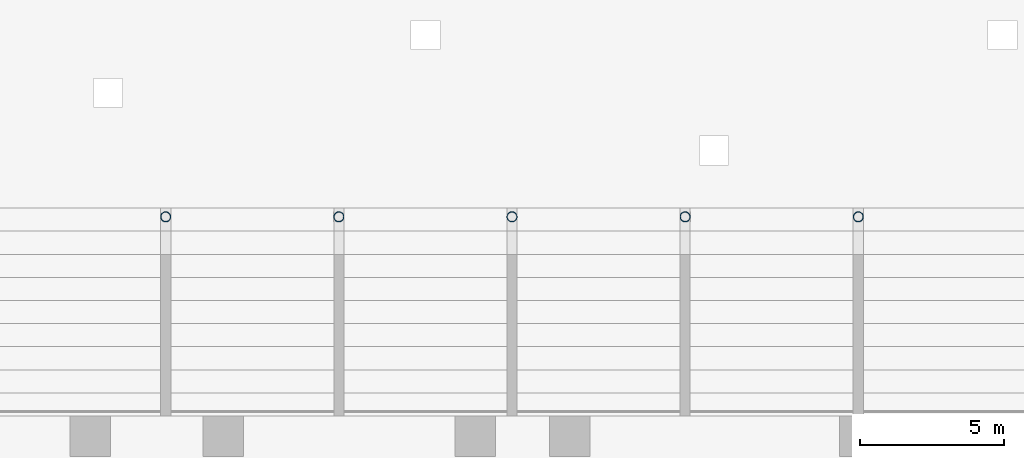
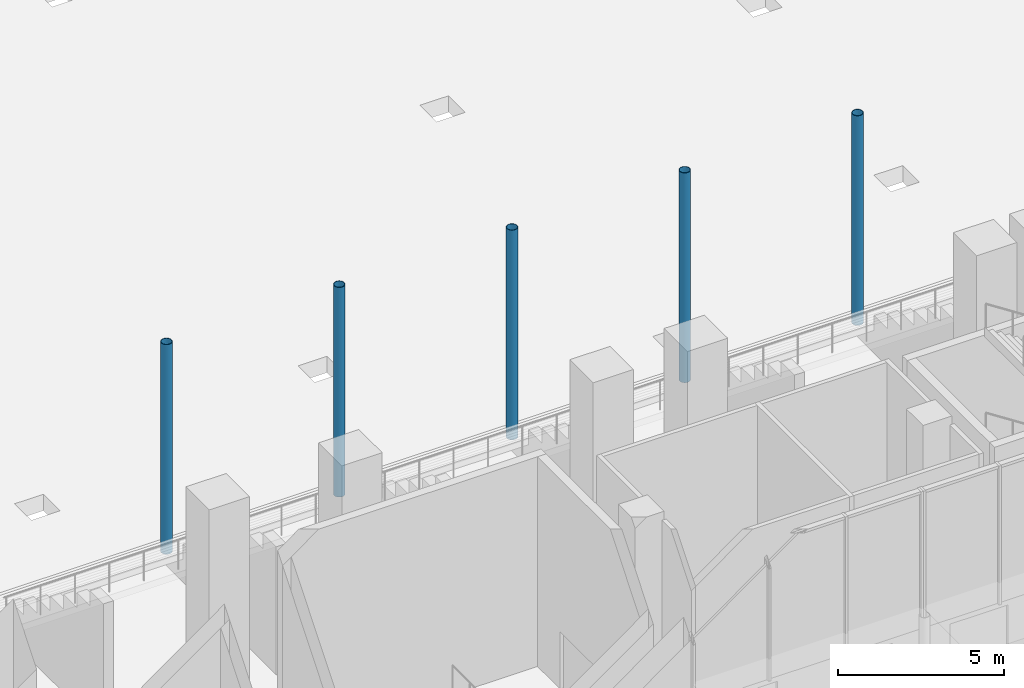
# One storey, part 4 of 41: 5 columns.
"""IFC4 building model written with IfcOpenShell, lengths in metres."""

from ifc_helpers import new_model, si_unit, direction, frame, origin, origin_2d, place, context, subcontext, project, spatial, hollow_circle, extrude, material, material_profile, profile_set, type_object, element, save


model = new_model("IFC4")

# Units and contexts
model_context = context("Model", 3, precision=1e-05, world=origin(), true_north=direction((0.0, 1.0)))
body_context = subcontext(model_context, "Body", "Model", "MODEL_VIEW")
ifc_project = project(units=[si_unit("LENGTHUNIT", "METRE"), si_unit("AREAUNIT", "SQUARE_METRE"), si_unit("VOLUMEUNIT", "CUBIC_METRE"), si_unit("PLANEANGLEUNIT", "RADIAN"), si_unit("MASSUNIT", "GRAM", prefix="KILO")], contexts=[model_context])

# Site, building, storey
site_placement = place(None, origin())
site = spatial("IfcSite", under=ifc_project, at=site_placement, CompositionType="ELEMENT")
building_placement = place(site_placement, origin())
building = spatial("IfcBuilding", under=site, at=building_placement, Name="Wharfspan Tower", CompositionType="ELEMENT")
storey_placement = place(building_placement, origin())
storey = spatial("IfcBuildingStorey", under=building, at=storey_placement, Name="L00", CompositionType="ELEMENT", Elevation=0.0)

# Columns
ifc_material = material(Name="Steel S460NH", Category="steel")
ifc_material_profile = material_profile(ifc_material, hollow_circle(Radius=0.177734, WallThickness=0.016113, at=origin_2d()))
ifc_profile_set = profile_set([ifc_material_profile], Name="Steel S460NH")
column_type = type_object("IfcColumnType", Name="Tier column CHS 356x16", PredefinedType="COLUMN", material=ifc_profile_set)
for number, where, z_axis, x_axis, name in (
    (1, (22.0, -14.300049, 0.300049), (0.0, 0.0, 1.0), (1.0, 0.0, 0.0), "Upper tier column"),
    (2, (28.0, -14.300049, 0.300049), (0.0, 0.0, 1.0), (1.0, 0.0, 0.0), "Upper tier column"),
    (3, (34.0, -14.300049, 0.300049), (0.0, 0.0, 1.0), (1.0, 0.0, 0.0), "Upper tier column"),
    (4, (40.0, -14.300049, 0.300049), (0.0, 0.0, 1.0), (1.0, 0.0, 0.0), "Upper tier column"),
    (5, (46.0, -14.300049, 0.300049), (0.0, 0.0, 1.0), (1.0, 0.0, 0.0), "Upper tier column"),
):
    element("IfcColumn", number, at=place(storey_placement, frame(where, z_axis=z_axis, x_axis=x_axis)), inside=storey, type_object=column_type, Name=name, PredefinedType="COLUMN", context=body_context, shape_type="SweptSolid", body=[
        extrude(hollow_circle(Radius=0.177734, WallThickness=0.016113, at=origin_2d()), origin(), (0.0, 0.0, 1.0), 7.699951),
    ])

save(model, "model.ifc")
